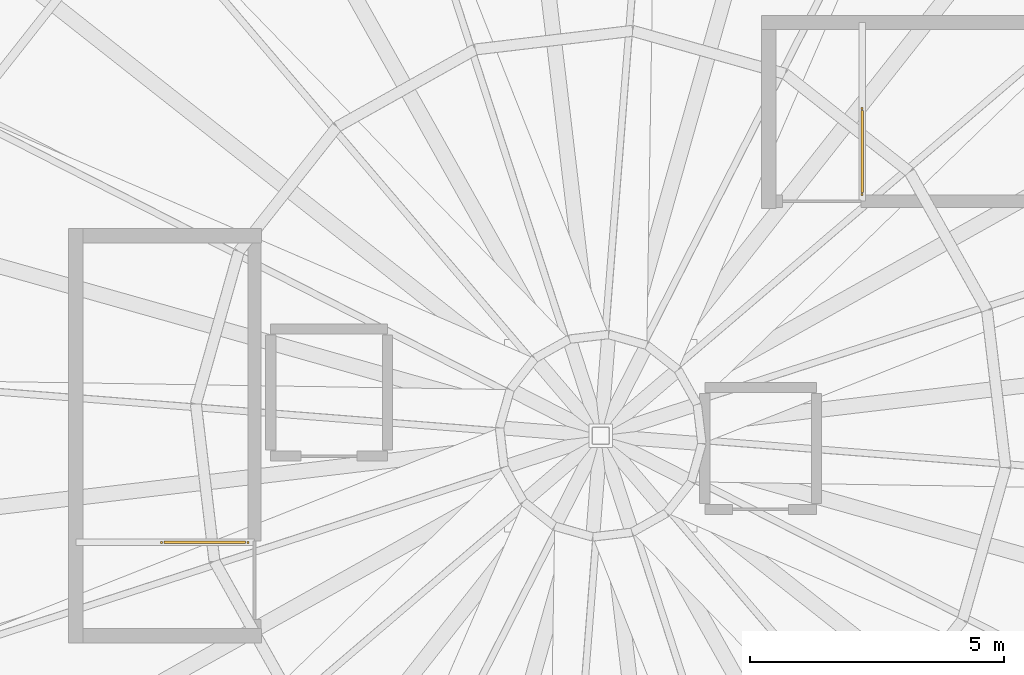
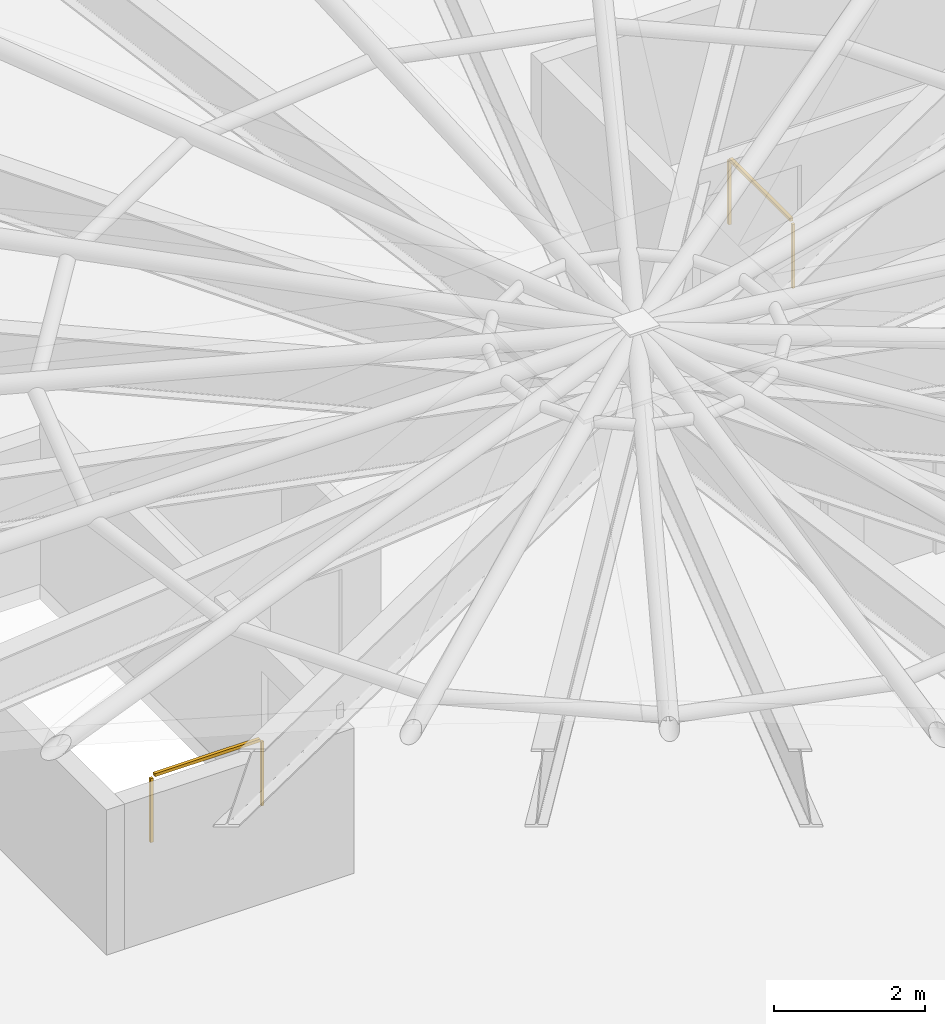
# One storey, part 9 of 9: 2 railings.
"""IFC4 building model written with IfcOpenShell, lengths in metres."""

from ifc_helpers import new_model, si_unit, direction, frame, origin, origin_2d, place, context, subcontext, project, spatial, rectangle, extrude, material, type_object, element, save


model = new_model("IFC4")

# Units and contexts
model_context = context("Model", 3, precision=1e-05, world=origin(), true_north=direction((0.0, 1.0)))
body_context = subcontext(model_context, "Body", "Model", "MODEL_VIEW")
ifc_project = project(units=[si_unit("LENGTHUNIT", "METRE"), si_unit("AREAUNIT", "SQUARE_METRE"), si_unit("VOLUMEUNIT", "CUBIC_METRE"), si_unit("PLANEANGLEUNIT", "RADIAN"), si_unit("MASSUNIT", "GRAM", prefix="KILO")], contexts=[model_context])

# Site, building, storey
site_placement = place(None, origin())
site = spatial("IfcSite", under=ifc_project, at=site_placement, CompositionType="ELEMENT")
building_placement = place(site_placement, origin())
building = spatial("IfcBuilding", under=site, at=building_placement, Name="Kazma Halo Residences", CompositionType="ELEMENT")
storey_placement = place(building_placement, frame((0.0, 0.0, 377.60009765625)))
storey = spatial("IfcBuildingStorey", under=building, at=storey_placement, Name="Roof", CompositionType="ELEMENT", Elevation=377.60009765625)

# Railings
ifc_material = material(Name="Painted Steel S355", Category="steel")
railing_type = type_object("IfcRailingType", Name="RLG-STAIR-GRD-1100", PredefinedType="GUARDRAIL", material=ifc_material)
railing_1_placement = place(storey_placement, frame((41.050048828125, 39.89990234375, 0.0)))
element("IfcRailing", 1, at=railing_1_placement, inside=storey, type_object=railing_type, Name="Roof ST-01 top well guard 1", PredefinedType="GUARDRAIL", context=body_context, shape_type="SweptSolid", body=[
    extrude(rectangle(XDim=0.050048828125, YDim=0.050048828125, at=origin_2d()), frame((-0.04248046875, 0.0, 1.0751953125), z_axis=(-1.0, 0.0, 0.0), x_axis=(0.0, -1.0, 0.0)), (0.0, 0.0, 1.0), 1.61474609375),
    extrude(rectangle(XDim=0.0400390625, YDim=0.0400390625, at=origin_2d()), origin(), (0.0, 0.0, 1.0), 1.0380859375),
    extrude(rectangle(XDim=0.0400390625, YDim=0.0400390625, at=origin_2d()), frame((-1.699951171875, 0.0, 0.0)), (0.0, 0.0, 1.0), 1.0380859375),
])
railing_2_placement = place(storey_placement, frame((53.14990234375, 46.75, 0.0)))
element("IfcRailing", 2, at=railing_2_placement, inside=storey, type_object=railing_type, Name="Roof ST-02 top well guard 1", PredefinedType="GUARDRAIL", context=body_context, shape_type="SweptSolid", body=[
    extrude(rectangle(XDim=0.050048828125, YDim=0.050048828125, at=origin_2d()), frame((0.0, 0.04248046875, 1.0751953125), z_axis=(0.0, 1.0, 0.0), x_axis=(-1.0, 0.0, 0.0)), (0.0, 0.0, 1.0), 1.61474609375),
    extrude(rectangle(XDim=0.0400390625, YDim=0.0400390625, at=origin_2d()), origin(), (0.0, 0.0, 1.0), 1.0380859375),
    extrude(rectangle(XDim=0.0400390625, YDim=0.0400390625, at=origin_2d()), frame((0.0, 1.699951171875, 0.0)), (0.0, 0.0, 1.0), 1.0380859375),
])

save(model, "model.ifc")
